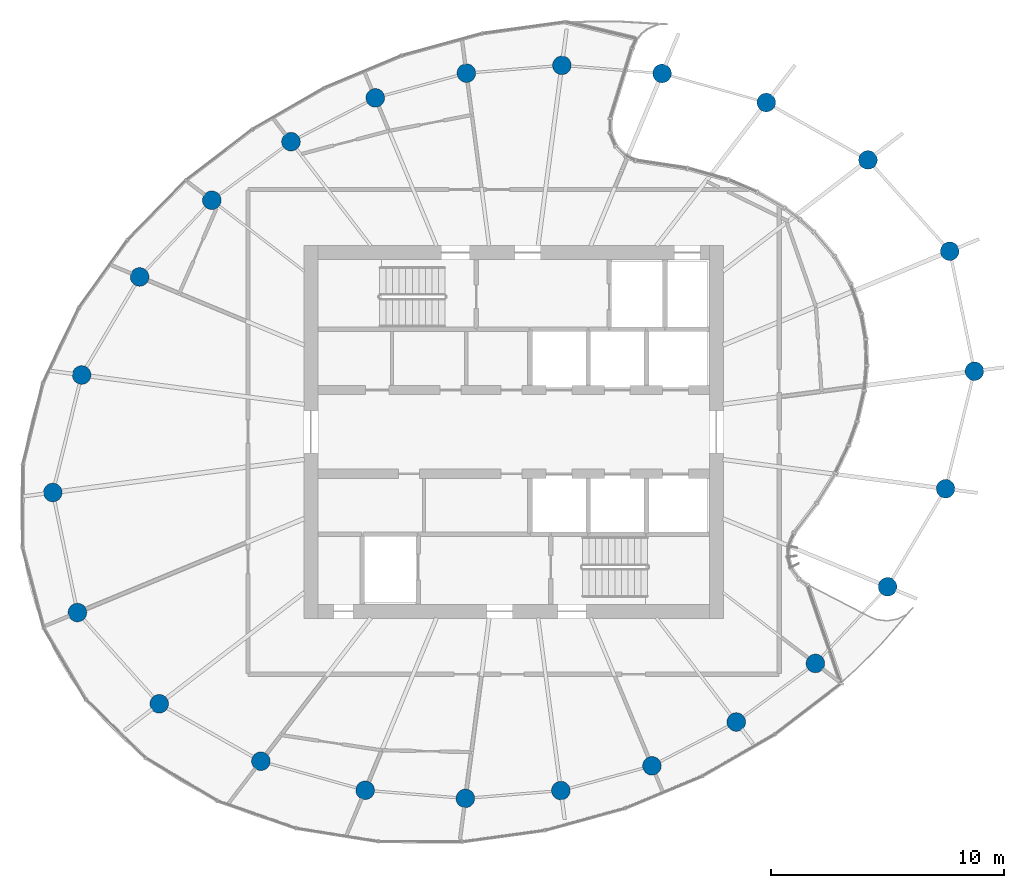
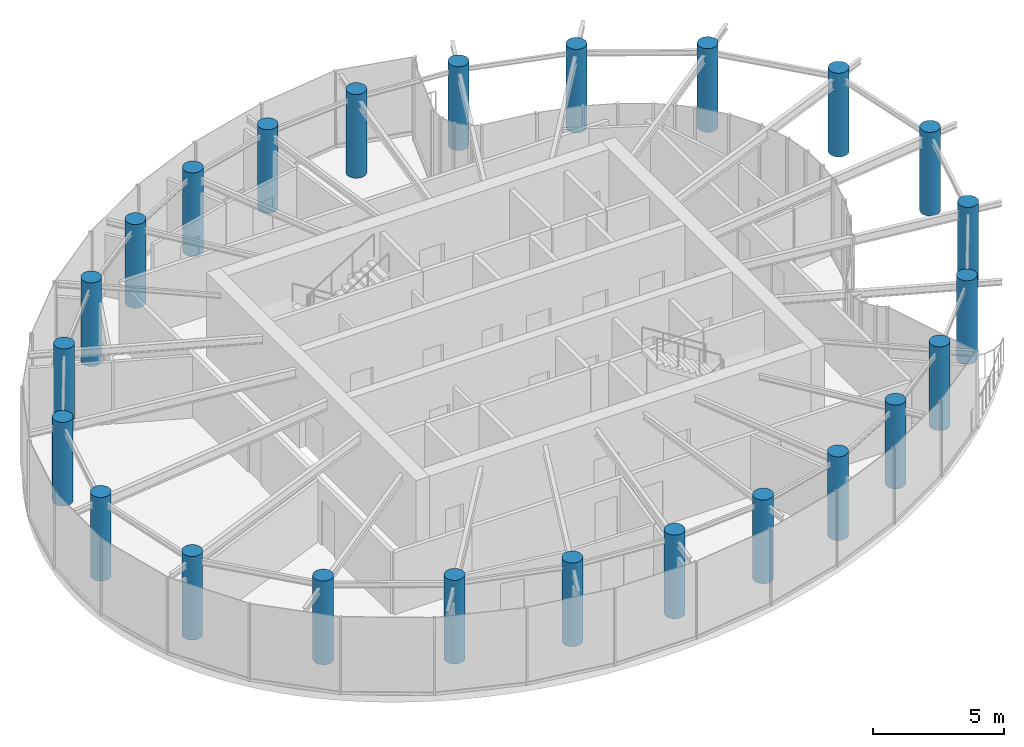
# One storey, part 1 of 14: 24 columns.
"""IFC4 building model written with IfcOpenShell, lengths in metres."""

from ifc_helpers import new_model, si_unit, direction, frame, origin, origin_2d, place, context, subcontext, project, spatial, circle, extrude, source, transform, mapped, material, material_profile, profile_set, type_object, element, save


model = new_model("IFC4")

# Units and contexts
model_context = context("Model", 3, precision=1e-05, world=origin(), true_north=direction((0.0, 1.0)))
body_context = subcontext(model_context, "Body", "Model", "MODEL_VIEW")
ifc_project = project(units=[si_unit("LENGTHUNIT", "METRE"), si_unit("AREAUNIT", "SQUARE_METRE"), si_unit("VOLUMEUNIT", "CUBIC_METRE"), si_unit("PLANEANGLEUNIT", "RADIAN"), si_unit("MASSUNIT", "GRAM", prefix="KILO")], contexts=[model_context])

# Site, building, storey
site_placement = place(None, origin())
site = spatial("IfcSite", under=ifc_project, at=site_placement, CompositionType="ELEMENT")
building_placement = place(site_placement, origin())
building = spatial("IfcBuilding", under=site, at=building_placement, Name="Spindrift Exchange Tower", CompositionType="ELEMENT")
storey_placement = place(building_placement, frame((0.0, 0.0, 238.39990234375)))
storey = spatial("IfcBuildingStorey", under=building, at=storey_placement, Name="L58", CompositionType="ELEMENT", Elevation=238.39990234375)

# Columns
ifc_material = material(Name="Concrete 40 MPa", Category="concrete")
ifc_material_profile = material_profile(ifc_material, circle(Radius=0.39990234375, at=origin_2d()), Name="RC D800")
ifc_profile_set = profile_set([ifc_material_profile], Name="Concrete 40 MPa")
column_type = type_object("IfcColumnType", Name="RC Perimeter Column D800 Concrete 40 MPa", PredefinedType="COLUMN", material=ifc_profile_set)
shared_shape = source(origin(), body_context, "Body", "SweptSolid", [
    extrude(circle(Radius=0.39990234375, at=origin_2d()), origin(), (0.0, 0.0, 1.0), 3.900146484375),
])
for number, where, z_axis, x_axis, name in (
    (1, (71.77734375, 50.603759765625, 0.0), (0.0, 0.0, 1.0), (1.0, 0.0, 0.0), "Perimeter column P5-01 L58"),
    (2, (70.719482421875, 55.75390625, 0.0), (0.0, 0.0, 1.0), (1.0, 0.0, 0.0), "Perimeter column P5-02 L58"),
    (3, (67.20947265625, 59.670654296875, 0.0), (0.0, 0.0, 1.0), (1.0, 0.0, 0.0), "Perimeter column P5-03 L58"),
    (4, (62.846923828125, 62.135986328125, 0.0), (0.0, 0.0, 1.0), (1.0, 0.0, 0.0), "Perimeter column P5-04 L58"),
    (5, (58.37158203125, 63.382568359375, 0.0), (0.0, 0.0, 1.0), (1.0, 0.0, 0.0), "Perimeter column P5-05 L58"),
    (6, (54.071044921875, 63.731201171875, 0.0), (0.0, 0.0, 1.0), (1.0, 0.0, 0.0), "Perimeter column P5-06 L58"),
    (7, (49.97314453125, 63.39599609375, 0.0), (0.0, 0.0, 1.0), (1.0, 0.0, 0.0), "Perimeter column P5-07 L58"),
    (8, (46.062744140625, 62.333984375, 0.0), (0.0, 0.0, 1.0), (1.0, 0.0, 0.0), "Perimeter column P5-08 L58"),
    (9, (42.4443359375, 60.453369140625, 0.0), (0.0, 0.0, 1.0), (1.0, 0.0, 0.0), "Perimeter column P5-09 L58"),
    (10, (39.046875, 57.939208984375, 0.0), (0.0, 0.0, 1.0), (1.0, 0.0, 0.0), "Perimeter column P5-10 L58"),
    (11, (35.948486328125, 54.648681640625, 0.0), (0.0, 0.0, 1.0), (1.0, 0.0, 0.0), "Perimeter column P5-11 L58"),
    (12, (33.4599609375, 50.44091796875, 0.0), (0.0, 0.0, 1.0), (1.0, 0.0, 0.0), "Perimeter column P5-12 L58"),
    (13, (32.22265625, 45.396240234375, 0.0), (0.0, 0.0, 1.0), (1.0, 0.0, 0.0), "Perimeter column P5-13 L58"),
    (14, (33.280517578125, 40.24609375, 0.0), (0.0, 0.0, 1.0), (1.0, 0.0, 0.0), "Perimeter column P5-14 L58"),
    (15, (36.79052734375, 36.329345703125, 0.0), (0.0, 0.0, 1.0), (1.0, 0.0, 0.0), "Perimeter column P5-15 L58"),
    (16, (41.153076171875, 33.864013671875, 0.0), (0.0, 0.0, 1.0), (1.0, 0.0, 0.0), "Perimeter column P5-16 L58"),
    (17, (45.62841796875, 32.617431640625, 0.0), (0.0, 0.0, 1.0), (1.0, 0.0, 0.0), "Perimeter column P5-17 L58"),
    (18, (49.928955078125, 32.268798828125, 0.0), (0.0, 0.0, 1.0), (1.0, 0.0, 0.0), "Perimeter column P5-18 L58"),
    (19, (54.02685546875, 32.60400390625, 0.0), (0.0, 0.0, 1.0), (1.0, 0.0, 0.0), "Perimeter column P5-19 L58"),
    (20, (57.937255859375, 33.666015625, 0.0), (0.0, 0.0, 1.0), (1.0, 0.0, 0.0), "Perimeter column P5-20 L58"),
    (21, (61.5556640625, 35.546630859375, 0.0), (0.0, 0.0, 1.0), (1.0, 0.0, 0.0), "Perimeter column P5-21 L58"),
    (22, (64.953125, 38.060791015625, 0.0), (0.0, 0.0, 1.0), (1.0, 0.0, 0.0), "Perimeter column P5-22 L58"),
    (23, (68.051513671875, 41.351318359375, 0.0), (0.0, 0.0, 1.0), (1.0, 0.0, 0.0), "Perimeter column P5-23 L58"),
    (24, (70.5400390625, 45.55908203125, 0.0), (0.0, 0.0, 1.0), (1.0, 0.0, 0.0), "Perimeter column P5-24 L58"),
):
    element("IfcColumn", number, at=place(storey_placement, frame(where, z_axis=z_axis, x_axis=x_axis)), inside=storey, type_object=column_type, Name=name, PredefinedType="COLUMN", context=body_context, shape_type="MappedRepresentation", body=[
        mapped(shared_shape, transform((0.0, 0.0, 0.0), scale=1.0)),
    ])

save(model, "model.ifc")
